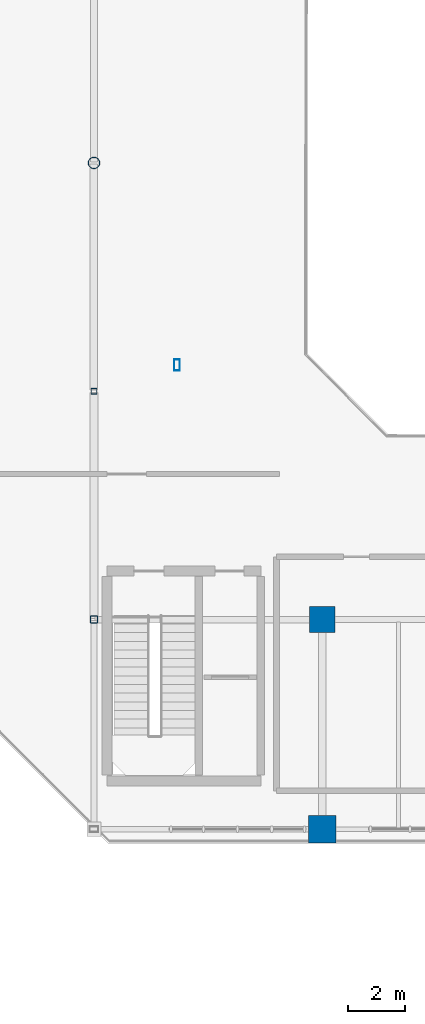
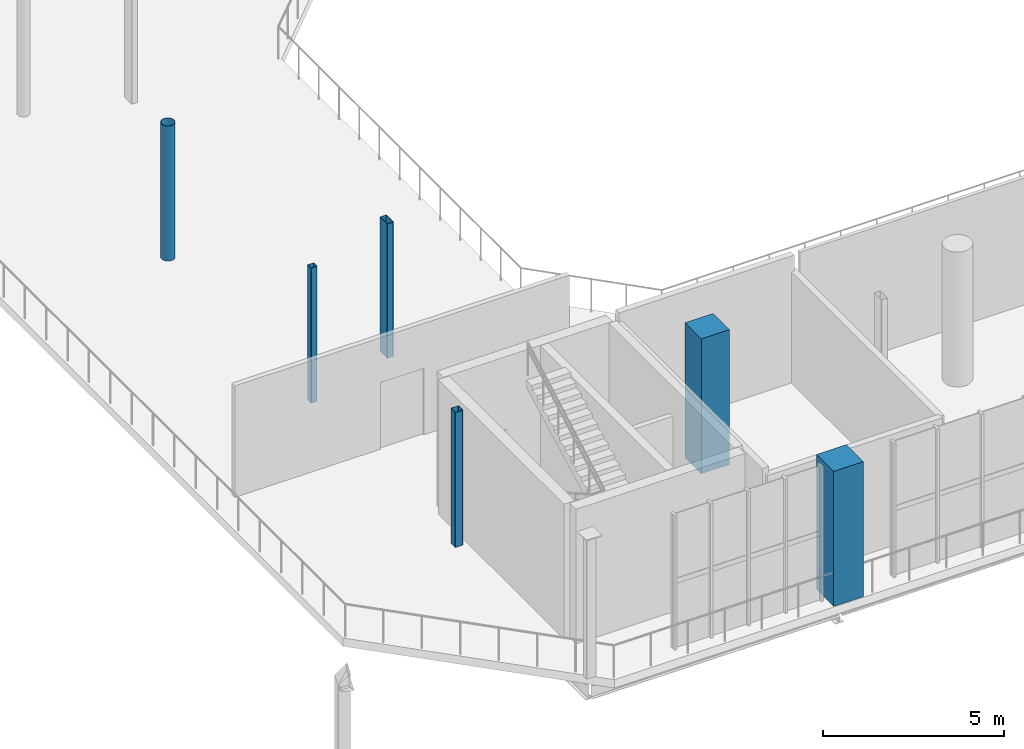
# One storey, part 3 of 51: 6 columns.
"""IFC4 building model written with IfcOpenShell, lengths in metres."""

from ifc_helpers import new_model, si_unit, direction, frame, origin, origin_2d, place, context, subcontext, project, spatial, rectangle, hollow_rectangle, hollow_circle, extrude, material, material_profile, profile_set, type_object, element, save


model = new_model("IFC4")

# Units and contexts
model_context = context("Model", 3, precision=1e-05, world=origin(), true_north=direction((0.0, 1.0)))
body_context = subcontext(model_context, "Body", "Model", "MODEL_VIEW")
ifc_project = project(units=[si_unit("LENGTHUNIT", "METRE"), si_unit("AREAUNIT", "SQUARE_METRE"), si_unit("VOLUMEUNIT", "CUBIC_METRE"), si_unit("PLANEANGLEUNIT", "RADIAN"), si_unit("MASSUNIT", "GRAM", prefix="KILO")], contexts=[model_context])

# Site, building, storey
site_placement = place(None, origin())
site = spatial("IfcSite", under=ifc_project, at=site_placement, CompositionType="ELEMENT")
building_placement = place(site_placement, origin())
building = spatial("IfcBuilding", under=site, at=building_placement, Name="Brisemont Oceanarium", CompositionType="ELEMENT")
storey_placement = place(building_placement, frame((0.0, 0.0, 15.0)))
storey = spatial("IfcBuildingStorey", under=building, at=storey_placement, Name="L03", CompositionType="ELEMENT", Elevation=15.0)

# Columns
ifc_material_1 = material(Name="Structural Steel ASTM A500 Gr.C", Category="steel")
ifc_material_profile_1 = material_profile(ifc_material_1, hollow_circle(Radius=0.202880859375, WallThickness=0.01171875, at=origin_2d()), Name="HSS16.000X0.500")
ifc_profile_set_1 = profile_set([ifc_material_profile_1], Name="Structural Steel ASTM A500 Gr.C")
column_type_1 = type_object("IfcColumnType", Name="COL-CHS16", PredefinedType="COLUMN", material=ifc_profile_set_1)
column_1_placement = place(storey_placement, frame((64.0, 56.0, 0.0), z_axis=(0.0, 0.0, 1.0), x_axis=(1.0, 0.0, 0.0)))
element("IfcColumn", 1, at=column_1_placement, inside=storey, type_object=column_type_1, Name="V1 L03 column (1,3)", PredefinedType="COLUMN", context=body_context, shape_type="SweptSolid", body=[
    extrude(hollow_circle(Radius=0.202880859375, WallThickness=0.01171875, at=origin_2d()), origin(), (0.0, 0.0, 1.0), 4.56005859375),
])
ifc_material_2 = material(Name="Structural Steel ASTM A500 Gr.C", Category="steel")
ifc_material_profile_2 = material_profile(ifc_material_2, hollow_rectangle(XDim=0.25390625, YDim=0.25390625, WallThickness=0.01171875, InnerFilletRadius=0.01220703125, OuterFilletRadius=0.02392578125, at=origin_2d()), Name="HSS10X10X1/2")
ifc_profile_set_2 = profile_set([ifc_material_profile_2], Name="Structural Steel ASTM A500 Gr.C")
column_type_2 = type_object("IfcColumnType", Name="COL-HSS10X10", PredefinedType="COLUMN", material=ifc_profile_set_2)
column_2_placement = place(storey_placement, frame((64.0, 40.0, 0.0), z_axis=(0.0, 0.0, 1.0), x_axis=(1.0, 0.0, 0.0)))
element("IfcColumn", 2, at=column_2_placement, inside=storey, type_object=column_type_2, Name="V1 L03 column (1,1)", PredefinedType="COLUMN", context=body_context, shape_type="SweptSolid", body=[
    extrude(hollow_rectangle(XDim=0.25390625, YDim=0.25390625, WallThickness=0.01171875, InnerFilletRadius=0.01220703125, OuterFilletRadius=0.02392578125, at=origin_2d()), origin(), (0.0, 0.0, 1.0), 4.56005859375),
])
ifc_material_3 = material(Name="Structural Steel ASTM A500 Gr.C", Category="steel")
ifc_material_profile_3 = material_profile(ifc_material_3, hollow_rectangle(XDim=0.202880859375, YDim=0.406005859375, WallThickness=0.01171875, InnerFilletRadius=0.01220703125, OuterFilletRadius=0.02392578125, at=origin_2d()), Name="HSS16X8X1/2")
ifc_profile_set_3 = profile_set([ifc_material_profile_3], Name="Structural Steel ASTM A500 Gr.C")
column_type_3 = type_object("IfcColumnType", Name="COL-HSS16X8", PredefinedType="COLUMN", material=ifc_profile_set_3)
column_3_placement = place(storey_placement, frame((66.908203125, 48.92041015625, 0.0), z_axis=(0.0, 0.0, 1.0), x_axis=(1.0, 0.0, 0.0)))
element("IfcColumn", 3, at=column_3_placement, inside=storey, type_object=column_type_3, Name="V1 dome drum pier L03.5", PredefinedType="COLUMN", context=body_context, shape_type="SweptSolid", body=[
    extrude(hollow_rectangle(XDim=0.202880859375, YDim=0.406005859375, WallThickness=0.01171875, InnerFilletRadius=0.01220703125, OuterFilletRadius=0.02392578125, at=origin_2d()), origin(), (0.0, 0.0, 1.0), 4.5400390625),
])
ifc_material_4 = material(Name="Structural Steel ASTM A500 Gr.C", Category="steel")
ifc_material_profile_4 = material_profile(ifc_material_4, hollow_rectangle(XDim=0.202880859375, YDim=0.202880859375, WallThickness=0.0087890625, InnerFilletRadius=0.009033203125, OuterFilletRadius=0.01806640625, at=origin_2d()), Name="HSS8X8X3/8")
ifc_profile_set_4 = profile_set([ifc_material_profile_4], Name="Structural Steel ASTM A500 Gr.C")
column_type_4 = type_object("IfcColumnType", Name="COL-HSS8X8", PredefinedType="COLUMN", material=ifc_profile_set_4)
column_4_placement = place(storey_placement, frame((64.0, 48.0, 0.0), z_axis=(0.0, 0.0, 1.0), x_axis=(0.0, 1.0, 0.0)))
element("IfcColumn", 4, at=column_4_placement, inside=storey, type_object=column_type_4, Name="V1 L03 column (1,2)", PredefinedType="COLUMN", context=body_context, shape_type="SweptSolid", body=[
    extrude(hollow_rectangle(XDim=0.202880859375, YDim=0.202880859375, WallThickness=0.0087890625, InnerFilletRadius=0.009033203125, OuterFilletRadius=0.01806640625, at=origin_2d()), origin(), (0.0, 0.0, 1.0), 4.56005859375),
])
ifc_material_5 = material(Name="Concrete C40/50", Category="concrete")
ifc_material_profile_5 = material_profile(ifc_material_5, rectangle(XDim=0.89990234375, YDim=0.89990234375, at=origin_2d()), Name="RC-COL-900X900")
ifc_profile_set_5 = profile_set([ifc_material_profile_5], Name="Concrete C40/50")
column_type_5 = type_object("IfcColumnType", Name="COL-RC900", PredefinedType="COLUMN", material=ifc_profile_set_5)
column_5_placement = place(storey_placement, frame((72.0, 40.0, 0.0), z_axis=(0.0, 0.0, 1.0), x_axis=(0.0, 1.0, 0.0)))
element("IfcColumn", 5, at=column_5_placement, inside=storey, type_object=column_type_5, Name="V1 L03 column (2,1)", PredefinedType="COLUMN", context=body_context, shape_type="SweptSolid", body=[
    extrude(rectangle(XDim=0.89990234375, YDim=0.89990234375, at=origin_2d()), origin(), (0.0, 0.0, 1.0), 4.56005859375),
])
ifc_material_6 = material(Name="Concrete C40/50", Category="concrete")
ifc_material_profile_6 = material_profile(ifc_material_6, rectangle(XDim=0.949951171875, YDim=0.949951171875, at=origin_2d()), Name="RC-COL-950X950")
ifc_profile_set_6 = profile_set([ifc_material_profile_6], Name="Concrete C40/50")
column_type_6 = type_object("IfcColumnType", Name="COL-RC950", PredefinedType="COLUMN", material=ifc_profile_set_6)
column_6_placement = place(storey_placement, frame((72.0, 32.64990234375, 0.0), z_axis=(0.0, 0.0, 1.0), x_axis=(1.0, 0.0, 0.0)))
element("IfcColumn", 6, at=column_6_placement, inside=storey, type_object=column_type_6, Name="V1 L03 column (2,0)", PredefinedType="COLUMN", context=body_context, shape_type="SweptSolid", body=[
    extrude(rectangle(XDim=0.949951171875, YDim=0.949951171875, at=origin_2d()), origin(), (0.0, 0.0, 1.0), 4.56005859375),
])

save(model, "model.ifc")
